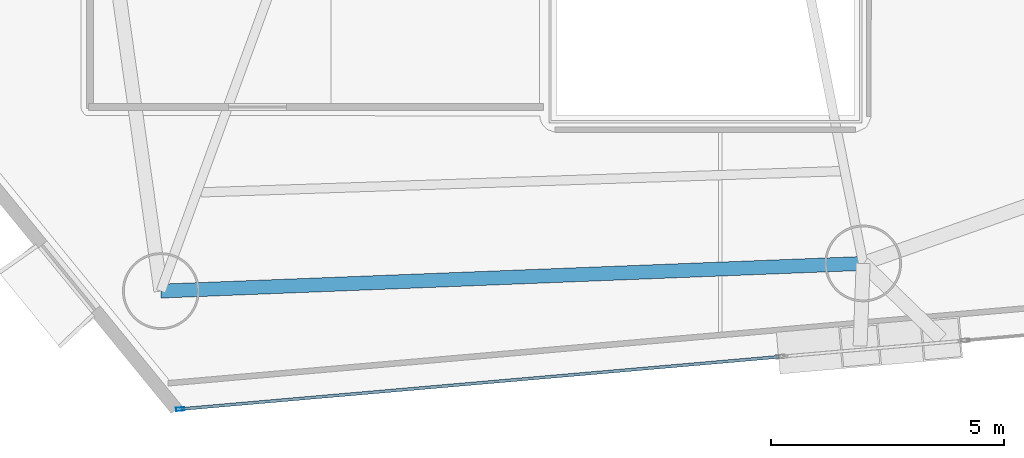
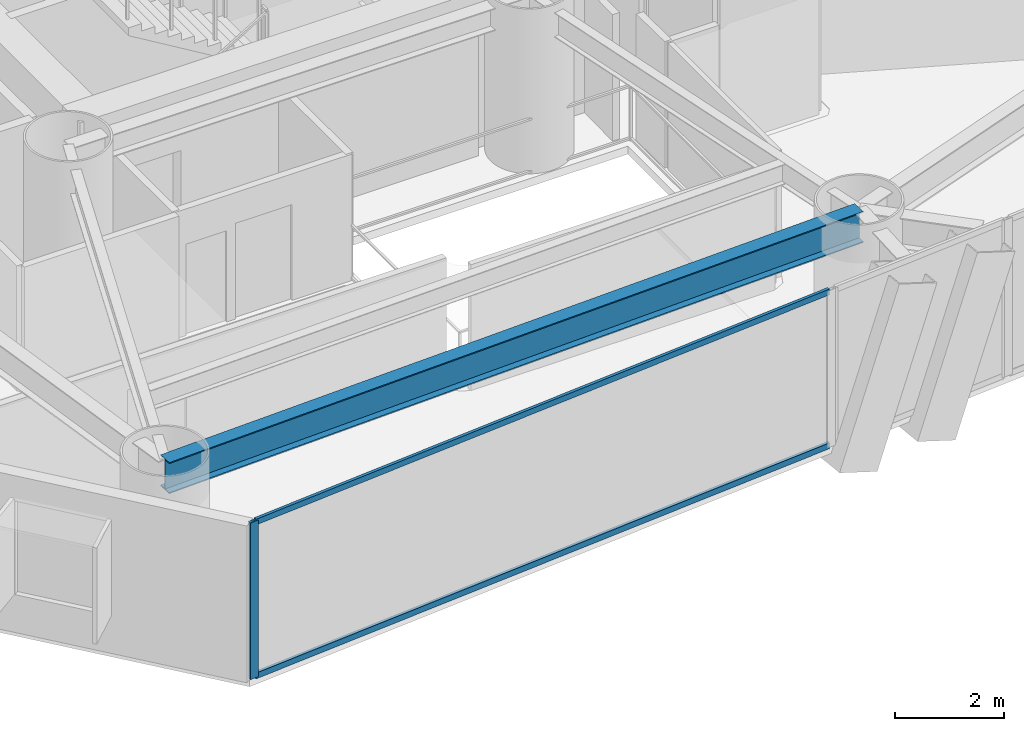
# One storey, part 2 of 23: 3 members, 1 beam, 1 element without a shape of its own.
"""IFC4 building model written with IfcOpenShell, lengths in metres."""

from ifc_helpers import new_model, si_unit, direction, frame, origin, origin_2d, place, context, subcontext, project, spatial, hollow_rectangle, i_section, extrude, material, layer, layer_set, material_profile, profile_set, type_object, element, aggregate, save


model = new_model("IFC4")

# Units and contexts
model_context = context("Model", 3, precision=1e-05, world=origin(), true_north=direction((0.0, 1.0)))
body_context = subcontext(model_context, "Body", "Model", "MODEL_VIEW")
ifc_project = project(units=[si_unit("LENGTHUNIT", "METRE"), si_unit("AREAUNIT", "SQUARE_METRE"), si_unit("VOLUMEUNIT", "CUBIC_METRE"), si_unit("PLANEANGLEUNIT", "RADIAN"), si_unit("MASSUNIT", "GRAM", prefix="KILO")], contexts=[model_context])

# Site, building, storey
site_placement = place(None, origin())
site = spatial("IfcSite", under=ifc_project, at=site_placement, CompositionType="ELEMENT")
building_placement = place(site_placement, origin())
building = spatial("IfcBuilding", under=site, at=building_placement, Name="Qianvela Tower", CompositionType="ELEMENT")
storey_placement = place(building_placement, frame((0.0, 0.0, 63.60009765625)))
storey = spatial("IfcBuildingStorey", under=building, at=storey_placement, Name="L15", CompositionType="ELEMENT", Elevation=63.60009765625)

# Beam
ifc_material_1 = material(Name="Steel Q355B", Category="steel")
ifc_material_profile_1 = material_profile(ifc_material_1, i_section(OverallWidth=0.300048828125, OverallDepth=0.699951171875, WebThickness=0.012939453125, FlangeThickness=0.02392578125, at=origin_2d()), Name="HN700x300x13x24")
ifc_profile_set_1 = profile_set([ifc_material_profile_1], Name="Steel Q355B")
beam_type = type_object("IfcBeamType", Name="BM-HN700-SPAND", PredefinedType="SPANDREL", material=ifc_profile_set_1)
beam_placement = place(storey_placement, frame((25.10009765625, 14.22509765625, 3.16796875), z_axis=(0.999226043345, 0.039335916178, 0.0), x_axis=(-0.039335916178, 0.999226043345, 0.0)))
element("IfcBeam", 1, at=beam_placement, inside=storey, type_object=beam_type, Name="L15 Perimeter Ring Spandrel Girder 5", PredefinedType="SPANDREL", context=body_context, shape_type="SweptSolid", body=[
    extrude(i_section(OverallWidth=0.300048828125, OverallDepth=0.699951171875, WebThickness=0.012939453125, FlangeThickness=0.02392578125, at=origin_2d()), origin(), (0.0, 0.0, 1.0), 15.1005859375),
])

# Curtain wall, members
ifc_material_2 = material(Name="Anodised Architectural Aluminium and Low-E Glass", Category="aluminium")
ifc_layer = layer(ifc_material_2, 0.179931640625)
ifc_layer_set = layer_set([ifc_layer], Name="Anodised Architectural Aluminium and Low-E Glass")
curtain_wall_type = type_object("IfcCurtainWallType", Name="CW-COLIV-Z12", PredefinedType="USERDEFINED", material=ifc_layer_set)
curtain_wall_placement = place(storey_placement, origin())
curtain_wall = element("IfcCurtainWall", 2, at=curtain_wall_placement, inside=storey, type_object=curtain_wall_type, Name="L15 CW-COLIV-Z12 Curtain Wall 06A", ObjectType="CURTAIN_WALL_SYSTEM", PredefinedType="USERDEFINED")
ifc_material_3 = material(Name="Anodised Architectural Aluminium 6063-T6", Category="aluminium")
ifc_material_profile_2 = material_profile(ifc_material_3, hollow_rectangle(XDim=0.070068359375, YDim=0.179931640625, WallThickness=0.0048828125, at=origin_2d()), Name="ALU-MULL-70x180")
ifc_profile_set_2 = profile_set([ifc_material_profile_2], Name="Anodised Architectural Aluminium 6063-T6")
member_type_1 = type_object("IfcMemberType", Name="CW-COLIV-Z12-MULL", PredefinedType="MULLION", material=ifc_profile_set_2)
member_1_placement = place(storey_placement, frame((25.51806640625, 11.68896484375, 0.0), z_axis=(0.0, 0.0, 1.0), x_axis=(-0.087027654918, 0.996205896027, 0.0)))
member_1 = element("IfcMember", 3, at=member_1_placement, type_object=member_type_1, Name="CW-3 mullion 1", PredefinedType="MULLION", context=body_context, shape_type="SweptSolid", body=[
    extrude(hollow_rectangle(XDim=0.070068359375, YDim=0.179931640625, WallThickness=0.0048828125, at=origin_2d()), origin(), (0.0, 0.0, 1.0), 3.52001953125),
])
ifc_material_4 = material(Name="Anodised Architectural Aluminium 6063-T6", Category="aluminium")
ifc_material_profile_3 = material_profile(ifc_material_4, hollow_rectangle(XDim=0.06494140625, YDim=0.1298828125, WallThickness=0.00439453125, at=origin_2d()), Name="ALU-TRAN-65x130")
ifc_profile_set_3 = profile_set([ifc_material_profile_3], Name="Anodised Architectural Aluminium 6063-T6")
member_type_2 = type_object("IfcMemberType", Name="CW-COLIV-Z12-TRAN", PredefinedType="USERDEFINED", material=ifc_profile_set_3)
member_2_placement = place(storey_placement, frame((25.552978515625, 11.692138671875, 0.032470703125), z_axis=(0.996206298793, 0.087023044329, 0.0), x_axis=(-0.087023044329, 0.996206298793, 0.0)))
member_2 = element("IfcMember", 4, at=member_2_placement, type_object=member_type_2, Name="CW-3 transom 1.1", ObjectType="TRANSOM", PredefinedType="USERDEFINED", context=body_context, shape_type="SweptSolid", body=[
    extrude(hollow_rectangle(XDim=0.06494140625, YDim=0.1298828125, WallThickness=0.00439453125, at=origin_2d()), origin(), (0.0, 0.0, 1.0), 12.8798828125),
])
member_3_placement = place(storey_placement, frame((25.552978515625, 11.692138671875, 3.4873046875), z_axis=(0.996206298793, 0.087023044329, 0.0), x_axis=(-0.087023044329, 0.996206298793, 0.0)))
member_3 = element("IfcMember", 5, at=member_3_placement, type_object=member_type_2, Name="CW-3 transom 1.2", ObjectType="TRANSOM", PredefinedType="USERDEFINED", context=body_context, shape_type="SweptSolid", body=[
    extrude(hollow_rectangle(XDim=0.06494140625, YDim=0.1298828125, WallThickness=0.00439453125, at=origin_2d()), origin(), (0.0, 0.0, 1.0), 12.8798828125),
])
aggregate(curtain_wall, [member_1, member_2, member_3])

save(model, "model.ifc")
